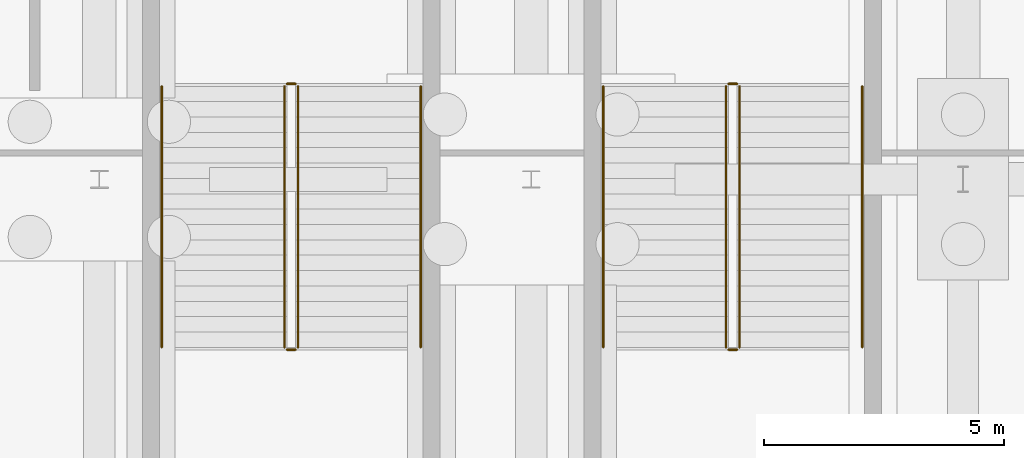
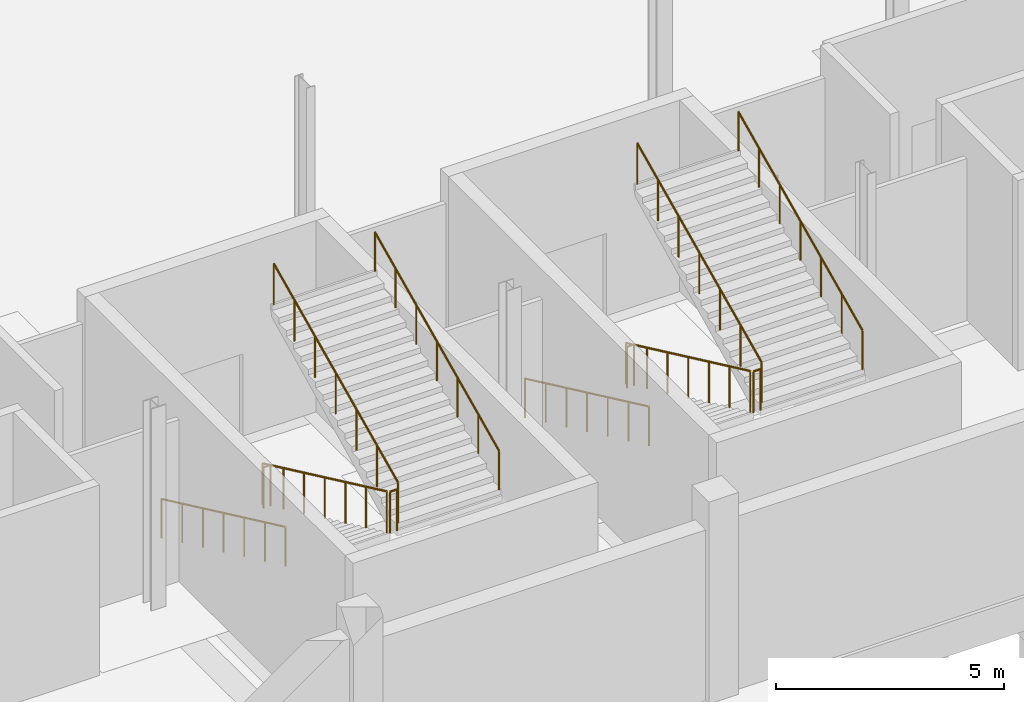
# One storey, part 53 of 58: 12 railings.
"""IFC4 building model written with IfcOpenShell, lengths in metres."""

import ifcopenshell
import ifcopenshell.guid

model = None  # the IFC model being written
_history = None  # IfcOwnerHistory: only IFC2X3 demands one
_inside = {}  # id of a spatial element -> (the spatial element, [elements in it])
_under = {}  # id of a project, library or spatial element -> (it, [spatial elements below it])
_declared = {}  # id of a project -> (the project, [libraries it declares])
_typed = {}  # id of a type object -> (the type object, [elements of that type])
_made_of = {}  # id of a material, layer set ... -> (it, [elements and type objects made of it])


def new_model(schema):
    """Start an empty IFC model of exactly this schema.

    Asked for "IFC4X3", IfcOpenShell would pick the latest addendum, in which some entities
    have other attributes; the version numbers below select the first issue.
    IFC2X3 requires an IfcOwnerHistory on every rooted entity: one is made here for all.
    """
    global model, _history
    if schema == "IFC4X3":
        model = ifcopenshell.file(schema_version=(4, 3, 0, 0))
    else:
        model = ifcopenshell.file(schema=schema)
    _inside.clear()
    _under.clear()
    _declared.clear()
    _typed.clear()
    _made_of.clear()
    _history = None
    if model.schema == "IFC2X3":
        org = make("IfcOrganization", Name="unknown")
        user = make(
            "IfcPersonAndOrganization",
            ThePerson=make("IfcPerson", FamilyName="unknown"),
            TheOrganization=org,
        )
        app = make(
            "IfcApplication",
            ApplicationDeveloper=org,
            Version="unknown",
            ApplicationFullName="unknown",
            ApplicationIdentifier="unknown",
        )
        _history = make(
            "IfcOwnerHistory",
            OwningUser=user,
            OwningApplication=app,
            ChangeAction="ADDED",
            CreationDate=0,
        )
    return model


def make(cls, **values):
    """One entity of the class cls with the attributes given. An attribute that is None is left unset."""
    return model.create_entity(
        cls, **{name: value for name, value in values.items() if value is not None}
    )


def rooted(cls, **values):
    """An entity with a GlobalId (a new one), such as an element, a storey or a relation."""
    return make(cls, GlobalId=ifcopenshell.guid.new(), OwnerHistory=_history, **values)


def si_unit(unit_type, name, prefix=None):
    """IfcSIUnit, for example si_unit("LENGTHUNIT", "METRE", prefix="MILLI")."""
    return make("IfcSIUnit", UnitType=unit_type, Prefix=prefix, Name=name)


def assignment(units):
    """IfcUnitAssignment: the units of a project."""
    return None if units is None else make("IfcUnitAssignment", Units=units)


def point(xyz):
    """IfcCartesianPoint."""
    return None if xyz is None else make("IfcCartesianPoint", Coordinates=xyz)


def direction(xyz):
    """IfcDirection."""
    return None if xyz is None else make("IfcDirection", DirectionRatios=xyz)


def frame(location, z_axis=None, x_axis=None):
    """IfcAxis2Placement3D, a coordinate frame: its origin and axes. An axis left out is left unset."""
    return make(
        "IfcAxis2Placement3D",
        Location=point(location),
        Axis=direction(z_axis),
        RefDirection=direction(x_axis),
    )


def frame_2d(location, x_axis=None):
    """IfcAxis2Placement2D, a coordinate frame in the plane: its origin and x axis."""
    return make(
        "IfcAxis2Placement2D", Location=point(location), RefDirection=direction(x_axis)
    )


def origin():
    """The frame at (0, 0, 0) with its axes left unset."""
    return frame((0.0, 0.0, 0.0))


def origin_2d():
    """The frame at (0, 0) in the plane with its x axis left unset."""
    return frame_2d((0.0, 0.0))


def place(relative_to, where):
    """IfcLocalPlacement: puts the frame where relative to a parent placement (None: the world)."""
    return make(
        "IfcLocalPlacement", PlacementRelTo=relative_to, RelativePlacement=where
    )


def context(
    kind, dimensions, precision=None, world=None, true_north=None, identifier=None
):
    """IfcGeometricRepresentationContext, for example the 3D "Model" context."""
    return make(
        "IfcGeometricRepresentationContext",
        ContextIdentifier=identifier,
        ContextType=kind,
        CoordinateSpaceDimension=dimensions,
        Precision=precision,
        WorldCoordinateSystem=world,
        TrueNorth=true_north,
    )


def subcontext(parent, identifier, kind, view, scale=None):
    """IfcGeometricRepresentationSubContext, for example "Body" below "Model"."""
    return make(
        "IfcGeometricRepresentationSubContext",
        ContextIdentifier=identifier,
        ContextType=kind,
        ParentContext=parent,
        TargetScale=scale,
        TargetView=view,
    )


def project(units=None, contexts=None):
    """IfcProject with its units and contexts."""
    return rooted(
        "IfcProject",
        Name="project",
        RepresentationContexts=contexts,
        UnitsInContext=assignment(units),
    )


def spatial(cls, under=None, at=None, **own):
    """A site, building, storey or space (cls), placed at a placement, below another one or the project."""
    s = rooted(cls, ObjectPlacement=at, **own)
    if under is not None:
        _under.setdefault(under.id(), (under, []))[1].append(s)
    return s


def profile(cls, at=None, kind="AREA", **sizes):
    """A parametric profile (cls). Its sizes go by their IFC names, for example OverallWidth=200.0."""
    return make(cls, ProfileType=kind, Position=at, **sizes)


def circle(**sizes):
    """IfcCircleProfileDef."""
    return profile("IfcCircleProfileDef", **sizes)


def extrude(swept, where, along, depth):
    """IfcExtrudedAreaSolid: the profile swept, set in the frame where, extruded along a direction by depth."""
    return make(
        "IfcExtrudedAreaSolid",
        SweptArea=swept,
        Position=where,
        ExtrudedDirection=direction(along),
        Depth=depth,
    )


def shape(context_of_items, identifier, shape_type, items):
    """IfcShapeRepresentation: the items that make up one representation, for example the "Body"."""
    return make(
        "IfcShapeRepresentation",
        ContextOfItems=context_of_items,
        RepresentationIdentifier=identifier,
        RepresentationType=shape_type,
        Items=items,
    )


def material(Name=None, Category=None):
    """IfcMaterial."""
    return make("IfcMaterial", Name=Name, Category=Category)


def made_of(thing, what):
    """Note that an element or type object is made of a material, layer set ...; save() writes the relation."""
    if what is not None:
        _made_of.setdefault(what.id(), (what, []))[1].append(thing)
    return thing


def type_object(cls, material=None, **own):
    """A type object (cls), such as IfcWallType, which elements share."""
    return made_of(rooted(cls, **own), material)


def element(
    cls,
    number,
    at=None,
    inside=None,
    cuts=None,
    type_object=None,
    material=None,
    context=None,
    identifier="Body",
    shape_type=None,
    held_by="IfcProductDefinitionShape",
    body=None,
    shapes=None,
    **own,
):
    """One element of the class cls, such as IfcWall. Its Tag is "e" and its number.

    at: its placement. inside: the storey or other place that contains it. cuts: it is an
    opening in that element (IfcRelVoidsElement). A single representation is given by context,
    identifier, shape_type and body (its items); several are given by shapes. held_by: the class
    of the entity that holds the representations. save() writes the other relations.
    """
    e = rooted(cls, Tag="e%d" % number, ObjectPlacement=at, **own)
    if body is not None:
        shapes = [shape(context, identifier, shape_type, body)]
    if shapes is not None:
        e.Representation = make(held_by, Representations=shapes)
    if inside is not None:
        _inside.setdefault(inside.id(), (inside, []))[1].append(e)
    if cuts is not None:
        rooted(
            "IfcRelVoidsElement", RelatingBuildingElement=cuts, RelatedOpeningElement=e
        )
    if type_object is not None:
        _typed.setdefault(type_object.id(), (type_object, []))[1].append(e)
    return made_of(e, material)


def aggregate(whole, parts):
    """IfcRelAggregates: a whole, such as a stair, and the parts it consists of."""
    return rooted("IfcRelAggregates", RelatingObject=whole, RelatedObjects=parts)


def save(model, path):
    """Write the relations noted so far, then the file.

    IfcRelAggregates (storeys below a building ...), IfcRelContainedInSpatialStructure (elements
    in a storey), IfcRelDefinesByType, IfcRelAssociatesMaterial and IfcRelDeclares: one each for
    every whole, place, type object, material and project.
    """
    for whole, parts in _under.values():
        aggregate(whole, parts)
    for where, things in _inside.values():
        rooted(
            "IfcRelContainedInSpatialStructure",
            RelatedElements=things,
            RelatingStructure=where,
        )
    for kind, things in _typed.values():
        rooted("IfcRelDefinesByType", RelatedObjects=things, RelatingType=kind)
    for what, things in _made_of.values():
        rooted("IfcRelAssociatesMaterial", RelatedObjects=things, RelatingMaterial=what)
    for by, libraries in _declared.values():
        rooted("IfcRelDeclares", RelatingContext=by, RelatedDefinitions=libraries)
    model.write(path)


model = new_model("IFC4")

# Units and contexts
model_context = context("Model", 3, precision=1e-05, world=origin(), true_north=direction((0.0, 1.0)))
body_context = subcontext(model_context, "Body", "Model", "MODEL_VIEW")
ifc_project = project(units=[si_unit("LENGTHUNIT", "METRE"), si_unit("AREAUNIT", "SQUARE_METRE"), si_unit("VOLUMEUNIT", "CUBIC_METRE"), si_unit("PLANEANGLEUNIT", "RADIAN"), si_unit("MASSUNIT", "GRAM", prefix="KILO")], contexts=[model_context])

# Site, building, storey
site_placement = place(None, origin())
site = spatial("IfcSite", under=ifc_project, at=site_placement, CompositionType="ELEMENT")
building_placement = place(site_placement, origin())
building = spatial("IfcBuilding", under=site, at=building_placement, Name="Qamarlyn Nura Convention Centre", CompositionType="ELEMENT")
storey_placement = place(building_placement, frame((0.0, 0.0, -5.39990234375)))
storey = spatial("IfcBuildingStorey", under=building, at=storey_placement, Name="B01", CompositionType="ELEMENT", Elevation=-5.39990234375)

# Railings
ifc_material = material(Name="Marine Grade 316 stainless steel", Category="steel")
railing_type_1 = type_object("IfcRailingType", Name="GRD-STAIR-112", PredefinedType="BALUSTRADE", material=ifc_material)
railing_1_placement = place(storey_placement, frame((165.860107421875, 10.93994140625, 0.14990234375)))
element("IfcRailing", 1, at=railing_1_placement, inside=storey, type_object=railing_type_1, Name="B01 ST-09 stair guard 1", PredefinedType="BALUSTRADE", context=body_context, shape_type="SweptSolid", body=[
    extrude(circle(Radius=0.02392578125, at=origin_2d()), frame((0.0, 0.0, 1.09619140625), z_axis=(0.0, -0.90545405566, 0.424444287379), x_axis=(1.0, 0.0, 0.0)), (0.0, 0.0, 1.0), 6.008056640625),
    extrude(circle(Radius=0.02099609375, at=origin_2d()), origin(), (0.0, 0.0, 1.0), 1.070068359375),
    extrude(circle(Radius=0.02099609375, at=origin_2d()), frame((0.0, -0.90673828125, 0.425048828125)), (0.0, 0.0, 1.0), 1.070068359375),
    extrude(circle(Radius=0.02099609375, at=origin_2d()), frame((0.0, -1.813232421875, 0.85009765625)), (0.0, 0.0, 1.0), 1.070068359375),
    extrude(circle(Radius=0.02099609375, at=origin_2d()), frame((0.0, -2.719970703125, 1.27490234375)), (0.0, 0.0, 1.0), 1.070068359375),
    extrude(circle(Radius=0.02099609375, at=origin_2d()), frame((0.0, -3.626708984375, 1.699951171875)), (0.0, 0.0, 1.0), 1.070068359375),
    extrude(circle(Radius=0.02099609375, at=origin_2d()), frame((0.0, -4.533203125, 2.125)), (0.0, 0.0, 1.0), 1.070068359375),
    extrude(circle(Radius=0.02099609375, at=origin_2d()), frame((0.0, -5.43994140625, 2.550048828125)), (0.0, 0.0, 1.0), 1.070068359375),
])
railing_2_placement = place(storey_placement, frame((165.909912109375, 5.449951171875, 2.699951171875)))
element("IfcRailing", 2, at=railing_2_placement, inside=storey, type_object=railing_type_1, Name="B01 ST-09 stair guard 2", PredefinedType="BALUSTRADE", context=body_context, shape_type="SweptSolid", body=[
    extrude(circle(Radius=0.02392578125, at=origin_2d()), frame((0.0, 0.0, 1.09619140625), z_axis=(1.0, 0.0, 0.0), x_axis=(0.0, 1.0, 0.0)), (0.0, 0.0, 1.0), 0.18017578125),
    extrude(circle(Radius=0.02099609375, at=origin_2d()), origin(), (0.0, 0.0, 1.0), 1.070068359375),
    extrude(circle(Radius=0.02099609375, at=origin_2d()), frame((0.18017578125, 0.0, 0.0)), (0.0, 0.0, 1.0), 1.070068359375),
])
railing_3_placement = place(storey_placement, frame((166.139892578125, 5.5, 2.849853515625)))
element("IfcRailing", 3, at=railing_3_placement, inside=storey, type_object=railing_type_1, Name="B01 ST-09 stair guard 3", PredefinedType="BALUSTRADE", context=body_context, shape_type="SweptSolid", body=[
    extrude(circle(Radius=0.02392578125, at=origin_2d()), frame((0.0, 0.0, 1.09619140625), z_axis=(0.0, 0.90545405566, 0.424444287379), x_axis=(-1.0, 0.0, 0.0)), (0.0, 0.0, 1.0), 6.008056640625),
    extrude(circle(Radius=0.02099609375, at=origin_2d()), origin(), (0.0, 0.0, 1.0), 1.070068359375),
    extrude(circle(Radius=0.02099609375, at=origin_2d()), frame((0.0, 0.90673828125, 0.425048828125)), (0.0, 0.0, 1.0), 1.070068359375),
    extrude(circle(Radius=0.02099609375, at=origin_2d()), frame((0.0, 1.813232421875, 0.85009765625)), (0.0, 0.0, 1.0), 1.070068359375),
    extrude(circle(Radius=0.02099609375, at=origin_2d()), frame((0.0, 2.719970703125, 1.27490234375)), (0.0, 0.0, 1.0), 1.070068359375),
    extrude(circle(Radius=0.02099609375, at=origin_2d()), frame((0.0, 3.626708984375, 1.699951171875)), (0.0, 0.0, 1.0), 1.070068359375),
    extrude(circle(Radius=0.02099609375, at=origin_2d()), frame((0.0, 4.533203125, 2.125)), (0.0, 0.0, 1.0), 1.070068359375),
    extrude(circle(Radius=0.02099609375, at=origin_2d()), frame((0.0, 5.43994140625, 2.550048828125)), (0.0, 0.0, 1.0), 1.070068359375),
])
railing_4_placement = place(storey_placement, frame((165.909912109375, 10.989990234375, 0.0)))
element("IfcRailing", 4, at=railing_4_placement, inside=storey, type_object=railing_type_1, Name="B01 ST-09 stair guard 4", PredefinedType="BALUSTRADE", context=body_context, shape_type="SweptSolid", body=[
    extrude(circle(Radius=0.02392578125, at=origin_2d()), frame((0.0, 0.0, 1.09619140625), z_axis=(1.0, 0.0, 0.0), x_axis=(0.0, 1.0, 0.0)), (0.0, 0.0, 1.0), 0.18017578125),
    extrude(circle(Radius=0.02099609375, at=origin_2d()), origin(), (0.0, 0.0, 1.0), 1.070068359375),
    extrude(circle(Radius=0.02099609375, at=origin_2d()), frame((0.18017578125, 0.0, 0.0)), (0.0, 0.0, 1.0), 1.070068359375),
])
railing_5_placement = place(storey_placement, frame((175.06005859375, 10.93994140625, 0.14990234375)))
element("IfcRailing", 5, at=railing_5_placement, inside=storey, type_object=railing_type_1, Name="B01 ST-10 stair guard 1", PredefinedType="BALUSTRADE", context=body_context, shape_type="SweptSolid", body=[
    extrude(circle(Radius=0.02392578125, at=origin_2d()), frame((0.0, 0.0, 1.09619140625), z_axis=(0.0, -0.90545405566, 0.424444287379), x_axis=(1.0, 0.0, 0.0)), (0.0, 0.0, 1.0), 6.008056640625),
    extrude(circle(Radius=0.02099609375, at=origin_2d()), origin(), (0.0, 0.0, 1.0), 1.070068359375),
    extrude(circle(Radius=0.02099609375, at=origin_2d()), frame((0.0, -0.90673828125, 0.425048828125)), (0.0, 0.0, 1.0), 1.070068359375),
    extrude(circle(Radius=0.02099609375, at=origin_2d()), frame((0.0, -1.813232421875, 0.85009765625)), (0.0, 0.0, 1.0), 1.070068359375),
    extrude(circle(Radius=0.02099609375, at=origin_2d()), frame((0.0, -2.719970703125, 1.27490234375)), (0.0, 0.0, 1.0), 1.070068359375),
    extrude(circle(Radius=0.02099609375, at=origin_2d()), frame((0.0, -3.626708984375, 1.699951171875)), (0.0, 0.0, 1.0), 1.070068359375),
    extrude(circle(Radius=0.02099609375, at=origin_2d()), frame((0.0, -4.533203125, 2.125)), (0.0, 0.0, 1.0), 1.070068359375),
    extrude(circle(Radius=0.02099609375, at=origin_2d()), frame((0.0, -5.43994140625, 2.550048828125)), (0.0, 0.0, 1.0), 1.070068359375),
])
railing_6_placement = place(storey_placement, frame((175.110107421875, 5.449951171875, 2.699951171875)))
element("IfcRailing", 6, at=railing_6_placement, inside=storey, type_object=railing_type_1, Name="B01 ST-10 stair guard 2", PredefinedType="BALUSTRADE", context=body_context, shape_type="SweptSolid", body=[
    extrude(circle(Radius=0.02392578125, at=origin_2d()), frame((0.0, 0.0, 1.09619140625), z_axis=(1.0, 0.0, 0.0), x_axis=(0.0, 1.0, 0.0)), (0.0, 0.0, 1.0), 0.179931640625),
    extrude(circle(Radius=0.02099609375, at=origin_2d()), origin(), (0.0, 0.0, 1.0), 1.070068359375),
    extrude(circle(Radius=0.02099609375, at=origin_2d()), frame((0.179931640625, 0.0, 0.0)), (0.0, 0.0, 1.0), 1.070068359375),
])
railing_7_placement = place(storey_placement, frame((175.340087890625, 5.5, 2.849853515625)))
element("IfcRailing", 7, at=railing_7_placement, inside=storey, type_object=railing_type_1, Name="B01 ST-10 stair guard 3", PredefinedType="BALUSTRADE", context=body_context, shape_type="SweptSolid", body=[
    extrude(circle(Radius=0.02392578125, at=origin_2d()), frame((0.0, 0.0, 1.09619140625), z_axis=(0.0, 0.90545405566, 0.424444287379), x_axis=(-1.0, 0.0, 0.0)), (0.0, 0.0, 1.0), 6.008056640625),
    extrude(circle(Radius=0.02099609375, at=origin_2d()), origin(), (0.0, 0.0, 1.0), 1.070068359375),
    extrude(circle(Radius=0.02099609375, at=origin_2d()), frame((0.0, 0.90673828125, 0.425048828125)), (0.0, 0.0, 1.0), 1.070068359375),
    extrude(circle(Radius=0.02099609375, at=origin_2d()), frame((0.0, 1.813232421875, 0.85009765625)), (0.0, 0.0, 1.0), 1.070068359375),
    extrude(circle(Radius=0.02099609375, at=origin_2d()), frame((0.0, 2.719970703125, 1.27490234375)), (0.0, 0.0, 1.0), 1.070068359375),
    extrude(circle(Radius=0.02099609375, at=origin_2d()), frame((0.0, 3.626708984375, 1.699951171875)), (0.0, 0.0, 1.0), 1.070068359375),
    extrude(circle(Radius=0.02099609375, at=origin_2d()), frame((0.0, 4.533203125, 2.125)), (0.0, 0.0, 1.0), 1.070068359375),
    extrude(circle(Radius=0.02099609375, at=origin_2d()), frame((0.0, 5.43994140625, 2.550048828125)), (0.0, 0.0, 1.0), 1.070068359375),
])
railing_8_placement = place(storey_placement, frame((175.110107421875, 10.989990234375, 0.0)))
element("IfcRailing", 8, at=railing_8_placement, inside=storey, type_object=railing_type_1, Name="B01 ST-10 stair guard 4", PredefinedType="BALUSTRADE", context=body_context, shape_type="SweptSolid", body=[
    extrude(circle(Radius=0.02392578125, at=origin_2d()), frame((0.0, 0.0, 1.09619140625), z_axis=(1.0, 0.0, 0.0), x_axis=(0.0, 1.0, 0.0)), (0.0, 0.0, 1.0), 0.179931640625),
    extrude(circle(Radius=0.02099609375, at=origin_2d()), origin(), (0.0, 0.0, 1.0), 1.070068359375),
    extrude(circle(Radius=0.02099609375, at=origin_2d()), frame((0.179931640625, 0.0, 0.0)), (0.0, 0.0, 1.0), 1.070068359375),
])
railing_type_2 = type_object("IfcRailingType", Name="HRL-STAIR-090", PredefinedType="HANDRAIL", material=ifc_material)
railing_9_placement = place(storey_placement, frame((163.300048828125, 10.93994140625, 0.30224609375)))
element("IfcRailing", 9, at=railing_9_placement, inside=storey, type_object=railing_type_2, Name="B01 ST-09 stair handrail 1", PredefinedType="HANDRAIL", context=body_context, shape_type="SweptSolid", body=[
    extrude(circle(Radius=0.02392578125, at=origin_2d()), frame((0.0, 0.0, 0.88818359375), z_axis=(0.0, -0.90545405566, 0.424444287379), x_axis=(1.0, 0.0, 0.0)), (0.0, 0.0, 1.0), 6.008056640625),
    extrude(circle(Radius=0.02099609375, at=origin_2d()), frame((0.0, 0.0, -0.155029296875)), (0.0, 0.0, 1.0), 1.01708984375),
    extrude(circle(Radius=0.02099609375, at=origin_2d()), frame((0.0, -0.90673828125, 0.27001953125)), (0.0, 0.0, 1.0), 1.01708984375),
    extrude(circle(Radius=0.02099609375, at=origin_2d()), frame((0.0, -1.813232421875, 0.695068359375)), (0.0, 0.0, 1.0), 1.01708984375),
    extrude(circle(Radius=0.02099609375, at=origin_2d()), frame((0.0, -2.719970703125, 1.1201171875)), (0.0, 0.0, 1.0), 1.01708984375),
    extrude(circle(Radius=0.02099609375, at=origin_2d()), frame((0.0, -3.626708984375, 1.544921875)), (0.0, 0.0, 1.0), 1.01708984375),
    extrude(circle(Radius=0.02099609375, at=origin_2d()), frame((0.0, -4.533203125, 1.969970703125)), (0.0, 0.0, 1.0), 1.01708984375),
    extrude(circle(Radius=0.02099609375, at=origin_2d()), frame((0.0, -5.43994140625, 2.39501953125)), (0.0, 0.0, 1.0), 1.01708984375),
])
railing_10_placement = place(storey_placement, frame((168.699951171875, 5.5, 3.002197265625)))
element("IfcRailing", 10, at=railing_10_placement, inside=storey, type_object=railing_type_2, Name="B01 ST-09 stair handrail 2", PredefinedType="HANDRAIL", context=body_context, shape_type="SweptSolid", body=[
    extrude(circle(Radius=0.02392578125, at=origin_2d()), frame((0.0, 0.0, 0.88818359375), z_axis=(0.0, 0.90545405566, 0.424444287379), x_axis=(-1.0, 0.0, 0.0)), (0.0, 0.0, 1.0), 6.008056640625),
    extrude(circle(Radius=0.02099609375, at=origin_2d()), frame((0.0, 0.0, -0.155029296875)), (0.0, 0.0, 1.0), 1.01708984375),
    extrude(circle(Radius=0.02099609375, at=origin_2d()), frame((0.0, 0.90673828125, 0.27001953125)), (0.0, 0.0, 1.0), 1.01708984375),
    extrude(circle(Radius=0.02099609375, at=origin_2d()), frame((0.0, 1.813232421875, 0.695068359375)), (0.0, 0.0, 1.0), 1.01708984375),
    extrude(circle(Radius=0.02099609375, at=origin_2d()), frame((0.0, 2.719970703125, 1.1201171875)), (0.0, 0.0, 1.0), 1.01708984375),
    extrude(circle(Radius=0.02099609375, at=origin_2d()), frame((0.0, 3.626708984375, 1.544921875)), (0.0, 0.0, 1.0), 1.01708984375),
    extrude(circle(Radius=0.02099609375, at=origin_2d()), frame((0.0, 4.533203125, 1.969970703125)), (0.0, 0.0, 1.0), 1.01708984375),
    extrude(circle(Radius=0.02099609375, at=origin_2d()), frame((0.0, 5.43994140625, 2.39501953125)), (0.0, 0.0, 1.0), 1.01708984375),
])
railing_11_placement = place(storey_placement, frame((172.5, 10.93994140625, 0.30224609375)))
element("IfcRailing", 11, at=railing_11_placement, inside=storey, type_object=railing_type_2, Name="B01 ST-10 stair handrail 1", PredefinedType="HANDRAIL", context=body_context, shape_type="SweptSolid", body=[
    extrude(circle(Radius=0.02392578125, at=origin_2d()), frame((0.0, 0.0, 0.88818359375), z_axis=(0.0, -0.90545405566, 0.424444287379), x_axis=(1.0, 0.0, 0.0)), (0.0, 0.0, 1.0), 6.008056640625),
    extrude(circle(Radius=0.02099609375, at=origin_2d()), frame((0.0, 0.0, -0.155029296875)), (0.0, 0.0, 1.0), 1.01708984375),
    extrude(circle(Radius=0.02099609375, at=origin_2d()), frame((0.0, -0.90673828125, 0.27001953125)), (0.0, 0.0, 1.0), 1.01708984375),
    extrude(circle(Radius=0.02099609375, at=origin_2d()), frame((0.0, -1.813232421875, 0.695068359375)), (0.0, 0.0, 1.0), 1.01708984375),
    extrude(circle(Radius=0.02099609375, at=origin_2d()), frame((0.0, -2.719970703125, 1.1201171875)), (0.0, 0.0, 1.0), 1.01708984375),
    extrude(circle(Radius=0.02099609375, at=origin_2d()), frame((0.0, -3.626708984375, 1.544921875)), (0.0, 0.0, 1.0), 1.01708984375),
    extrude(circle(Radius=0.02099609375, at=origin_2d()), frame((0.0, -4.533203125, 1.969970703125)), (0.0, 0.0, 1.0), 1.01708984375),
    extrude(circle(Radius=0.02099609375, at=origin_2d()), frame((0.0, -5.43994140625, 2.39501953125)), (0.0, 0.0, 1.0), 1.01708984375),
])
railing_12_placement = place(storey_placement, frame((177.89990234375, 5.5, 3.002197265625)))
element("IfcRailing", 12, at=railing_12_placement, inside=storey, type_object=railing_type_2, Name="B01 ST-10 stair handrail 2", PredefinedType="HANDRAIL", context=body_context, shape_type="SweptSolid", body=[
    extrude(circle(Radius=0.02392578125, at=origin_2d()), frame((0.0, 0.0, 0.88818359375), z_axis=(0.0, 0.90545405566, 0.424444287379), x_axis=(-1.0, 0.0, 0.0)), (0.0, 0.0, 1.0), 6.008056640625),
    extrude(circle(Radius=0.02099609375, at=origin_2d()), frame((0.0, 0.0, -0.155029296875)), (0.0, 0.0, 1.0), 1.01708984375),
    extrude(circle(Radius=0.02099609375, at=origin_2d()), frame((0.0, 0.90673828125, 0.27001953125)), (0.0, 0.0, 1.0), 1.01708984375),
    extrude(circle(Radius=0.02099609375, at=origin_2d()), frame((0.0, 1.813232421875, 0.695068359375)), (0.0, 0.0, 1.0), 1.01708984375),
    extrude(circle(Radius=0.02099609375, at=origin_2d()), frame((0.0, 2.719970703125, 1.1201171875)), (0.0, 0.0, 1.0), 1.01708984375),
    extrude(circle(Radius=0.02099609375, at=origin_2d()), frame((0.0, 3.626708984375, 1.544921875)), (0.0, 0.0, 1.0), 1.01708984375),
    extrude(circle(Radius=0.02099609375, at=origin_2d()), frame((0.0, 4.533203125, 1.969970703125)), (0.0, 0.0, 1.0), 1.01708984375),
    extrude(circle(Radius=0.02099609375, at=origin_2d()), frame((0.0, 5.43994140625, 2.39501953125)), (0.0, 0.0, 1.0), 1.01708984375),
])

save(model, "model.ifc")
